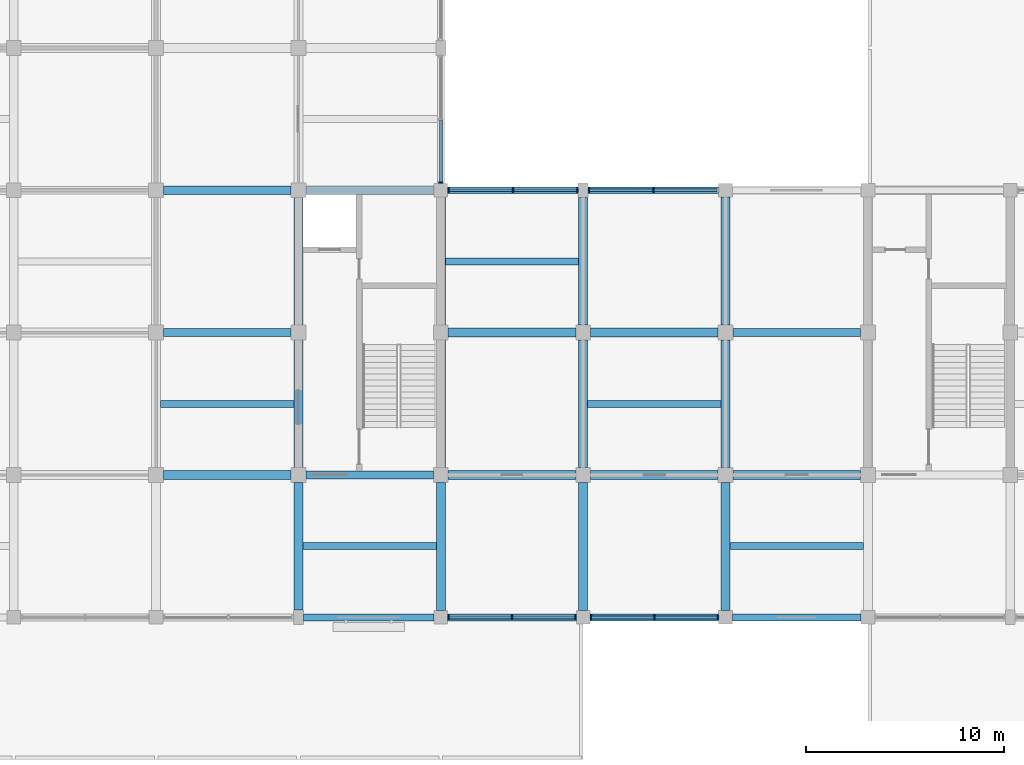
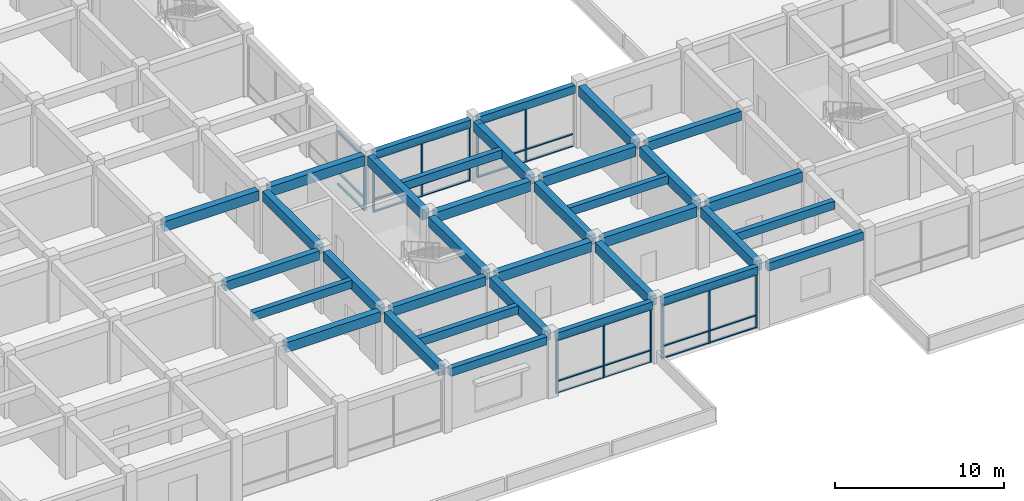
# One storey, part 7 of 30: 38 members, 34 beams, 5 elements without a shape of their own.
"""IFC4 building model written with IfcOpenShell, lengths in metres."""

from ifc_helpers import new_model, si_unit, direction, frame, origin, origin_2d, place, context, subcontext, project, spatial, rectangle, extrude, material, layer, layer_set, material_profile, profile_set, type_object, element, aggregate, save


model = new_model("IFC4")

# Units and contexts
model_context = context("Model", 3, precision=1e-05, world=origin(), true_north=direction((0.0, 1.0)))
body_context = subcontext(model_context, "Body", "Model", "MODEL_VIEW")
ifc_project = project(units=[si_unit("LENGTHUNIT", "METRE"), si_unit("AREAUNIT", "SQUARE_METRE"), si_unit("VOLUMEUNIT", "CUBIC_METRE"), si_unit("PLANEANGLEUNIT", "RADIAN"), si_unit("MASSUNIT", "GRAM", prefix="KILO")], contexts=[model_context])

# Site, building, storey
site_placement = place(None, origin())
site = spatial("IfcSite", under=ifc_project, at=site_placement, CompositionType="ELEMENT")
building_placement = place(site_placement, origin())
building = spatial("IfcBuilding", under=site, at=building_placement, Name="Cendaluz Park School", CompositionType="ELEMENT")
storey_placement = place(building_placement, frame((0.0, 0.0, 9.60009765625)))
storey = spatial("IfcBuildingStorey", under=building, at=storey_placement, Name="L02", CompositionType="ELEMENT", Elevation=9.60009765625)

# Beams
ifc_material_1 = material(Name="Concrete C40/50", Category="concrete")
ifc_material_profile_1 = material_profile(ifc_material_1, rectangle(XDim=0.449951171875, YDim=0.719970703125, at=origin_2d()), Name="RC 450x720", Category="concrete")
ifc_profile_set_1 = profile_set([ifc_material_profile_1], Name="Concrete C40/50")
beam_type_1 = type_object("IfcBeamType", Name="BM-RC02", PredefinedType="BEAM", material=ifc_profile_set_1)
for number, where, z_axis, x_axis, name in (
    (1, (93.97509765625, 14.39990234375, 4.099853515625), (1.0, 0.0, 0.0), (0.0, 1.0, 0.0), "BM-L02-BMRC02-0075"),
    (2, (93.97509765625, 28.800048828125, 4.099853515625), (1.0, 0.0, 0.0), (0.0, 1.0, 0.0), "BM-L02-BMRC02-0077"),
):
    element("IfcBeam", number, at=place(storey_placement, frame(where, z_axis=z_axis, x_axis=x_axis)), inside=storey, type_object=beam_type_1, Name=name, PredefinedType="BEAM", context=body_context, shape_type="SweptSolid", body=[
        extrude(rectangle(XDim=0.449951171875, YDim=0.719970703125, at=origin_2d()), origin(), (0.0, 0.0, 1.0), 6.449951171875),
    ])
beam_1_placement = place(storey_placement, frame((101.175048828125, 28.800048828125, 4.099853515625), z_axis=(1.0, 0.0, 0.0), x_axis=(0.0, 1.0, 0.0)))
element("IfcBeam", 3, at=beam_1_placement, inside=storey, type_object=beam_type_1, Name="BM-L02-BMRC02-0086", PredefinedType="BEAM", context=body_context, shape_type="SweptSolid", body=[
    extrude(rectangle(XDim=0.449951171875, YDim=0.719970703125, at=origin_2d()), origin(), (0.0, 0.0, 1.0), 6.474853515625),
])
for number, where, z_axis, x_axis, name in (
    (4, (108.375, 14.39990234375, 4.099853515625), (1.0, 0.0, 0.0), (0.0, 1.0, 0.0), "BM-L02-BMRC02-0093"),
    (5, (108.375, 21.60009765625, 4.099853515625), (1.0, 0.0, 0.0), (0.0, 1.0, 0.0), "BM-L02-BMRC02-0094"),
    (6, (115.574951171875, 14.39990234375, 4.099853515625), (1.0, 0.0, 0.0), (0.0, 1.0, 0.0), "BM-L02-BMRC02-0097"),
    (7, (115.574951171875, 21.60009765625, 4.099853515625), (1.0, 0.0, 0.0), (0.0, 1.0, 0.0), "BM-L02-BMRC02-0098"),
):
    element("IfcBeam", number, at=place(storey_placement, frame(where, z_axis=z_axis, x_axis=x_axis)), inside=storey, type_object=beam_type_1, Name=name, PredefinedType="BEAM", context=body_context, shape_type="SweptSolid", body=[
        extrude(rectangle(XDim=0.449951171875, YDim=0.719970703125, at=origin_2d()), origin(), (0.0, 0.0, 1.0), 6.449951171875),
    ])
beam_2_placement = place(storey_placement, frame((122.77490234375, 14.39990234375, 4.099853515625), z_axis=(1.0, 0.0, 0.0), x_axis=(0.0, 1.0, 0.0)))
element("IfcBeam", 8, at=beam_2_placement, inside=storey, type_object=beam_type_1, Name="BM-L02-BMRC02-0101", PredefinedType="BEAM", context=body_context, shape_type="SweptSolid", body=[
    extrude(rectangle(XDim=0.449951171875, YDim=0.719970703125, at=origin_2d()), origin(), (0.0, 0.0, 1.0), 6.4501953125),
])
beam_3_placement = place(storey_placement, frame((100.800048828125, 7.574951171875, 4.099853515625), z_axis=(0.0, 1.0, 0.0), x_axis=(-1.0, 0.0, 0.0)))
element("IfcBeam", 9, at=beam_3_placement, inside=storey, type_object=beam_type_1, Name="BM-L02-BMRC02-0199", PredefinedType="BEAM", context=body_context, shape_type="SweptSolid", body=[
    extrude(rectangle(XDim=0.449951171875, YDim=0.719970703125, at=origin_2d()), origin(), (0.0, 0.0, 1.0), 6.449951171875),
])
beam_4_placement = place(storey_placement, frame((100.800048828125, 14.77490234375, 4.099853515625), z_axis=(0.0, 1.0, 0.0), x_axis=(-1.0, 0.0, 0.0)))
element("IfcBeam", 10, at=beam_4_placement, inside=storey, type_object=beam_type_1, Name="BM-L02-BMRC02-0200", PredefinedType="BEAM", context=body_context, shape_type="SweptSolid", body=[
    extrude(rectangle(XDim=0.449951171875, YDim=0.719970703125, at=origin_2d()), origin(), (0.0, 0.0, 1.0), 6.4501953125),
])
beam_5_placement = place(storey_placement, frame((100.800048828125, 21.97509765625, 4.099853515625), z_axis=(0.0, 1.0, 0.0), x_axis=(-1.0, 0.0, 0.0)))
element("IfcBeam", 11, at=beam_5_placement, inside=storey, type_object=beam_type_1, Name="BM-L02-BMRC02-0201", PredefinedType="BEAM", context=body_context, shape_type="SweptSolid", body=[
    extrude(rectangle(XDim=0.449951171875, YDim=0.719970703125, at=origin_2d()), origin(), (0.0, 0.0, 1.0), 6.449951171875),
])
beam_6_placement = place(storey_placement, frame((108.0, 7.550048828125, 4.099853515625), z_axis=(0.0, 1.0, 0.0), x_axis=(-1.0, 0.0, 0.0)))
element("IfcBeam", 12, at=beam_6_placement, inside=storey, type_object=beam_type_1, Name="BM-L02-BMRC02-0208", PredefinedType="BEAM", context=body_context, shape_type="SweptSolid", body=[
    extrude(rectangle(XDim=0.449951171875, YDim=0.719970703125, at=origin_2d()), origin(), (0.0, 0.0, 1.0), 6.474853515625),
])
beam_7_placement = place(storey_placement, frame((108.0, 14.77490234375, 4.099853515625), z_axis=(0.0, 1.0, 0.0), x_axis=(-1.0, 0.0, 0.0)))
element("IfcBeam", 13, at=beam_7_placement, inside=storey, type_object=beam_type_1, Name="BM-L02-BMRC02-0209", PredefinedType="BEAM", context=body_context, shape_type="SweptSolid", body=[
    extrude(rectangle(XDim=0.449951171875, YDim=0.719970703125, at=origin_2d()), origin(), (0.0, 0.0, 1.0), 6.4501953125),
])
for number, where, z_axis, x_axis, name in (
    (14, (108.0, 21.97509765625, 4.099853515625), (0.0, 1.0, 0.0), (-1.0, 0.0, 0.0), "BM-L02-BMRC02-0210"),
    (15, (115.199951171875, 7.550048828125, 4.099853515625), (0.0, 1.0, 0.0), (-1.0, 0.0, 0.0), "BM-L02-BMRC02-0217"),
):
    element("IfcBeam", number, at=place(storey_placement, frame(where, z_axis=z_axis, x_axis=x_axis)), inside=storey, type_object=beam_type_1, Name=name, PredefinedType="BEAM", context=body_context, shape_type="SweptSolid", body=[
        extrude(rectangle(XDim=0.449951171875, YDim=0.719970703125, at=origin_2d()), origin(), (0.0, 0.0, 1.0), 6.474853515625),
    ])
beam_8_placement = place(storey_placement, frame((115.199951171875, 14.77490234375, 4.099853515625), z_axis=(0.0, 1.0, 0.0), x_axis=(-1.0, 0.0, 0.0)))
element("IfcBeam", 16, at=beam_8_placement, inside=storey, type_object=beam_type_1, Name="BM-L02-BMRC02-0218", PredefinedType="BEAM", context=body_context, shape_type="SweptSolid", body=[
    extrude(rectangle(XDim=0.449951171875, YDim=0.719970703125, at=origin_2d()), origin(), (0.0, 0.0, 1.0), 6.4501953125),
])
beam_9_placement = place(storey_placement, frame((115.199951171875, 21.97509765625, 4.099853515625), z_axis=(0.0, 1.0, 0.0), x_axis=(-1.0, 0.0, 0.0)))
element("IfcBeam", 17, at=beam_9_placement, inside=storey, type_object=beam_type_1, Name="BM-L02-BMRC02-0219", PredefinedType="BEAM", context=body_context, shape_type="SweptSolid", body=[
    extrude(rectangle(XDim=0.449951171875, YDim=0.719970703125, at=origin_2d()), origin(), (0.0, 0.0, 1.0), 6.449951171875),
])
beam_10_placement = place(storey_placement, frame((122.39990234375, 7.550048828125, 4.099853515625), z_axis=(0.0, 1.0, 0.0), x_axis=(-1.0, 0.0, 0.0)))
element("IfcBeam", 18, at=beam_10_placement, inside=storey, type_object=beam_type_1, Name="BM-L02-BMRC02-0220", PredefinedType="BEAM", context=body_context, shape_type="SweptSolid", body=[
    extrude(rectangle(XDim=0.449951171875, YDim=0.719970703125, at=origin_2d()), origin(), (0.0, 0.0, 1.0), 6.474853515625),
])
beam_11_placement = place(storey_placement, frame((122.39990234375, 14.77490234375, 4.099853515625), z_axis=(0.0, 1.0, 0.0), x_axis=(-1.0, 0.0, 0.0)))
element("IfcBeam", 19, at=beam_11_placement, inside=storey, type_object=beam_type_1, Name="BM-L02-BMRC02-0221", PredefinedType="BEAM", context=body_context, shape_type="SweptSolid", body=[
    extrude(rectangle(XDim=0.449951171875, YDim=0.719970703125, at=origin_2d()), origin(), (0.0, 0.0, 1.0), 6.4501953125),
])
beam_12_placement = place(storey_placement, frame((122.39990234375, 21.97509765625, 4.099853515625), z_axis=(0.0, 1.0, 0.0), x_axis=(-1.0, 0.0, 0.0)))
element("IfcBeam", 20, at=beam_12_placement, inside=storey, type_object=beam_type_1, Name="BM-L02-BMRC02-0222", PredefinedType="BEAM", context=body_context, shape_type="SweptSolid", body=[
    extrude(rectangle(XDim=0.449951171875, YDim=0.719970703125, at=origin_2d()), origin(), (0.0, 0.0, 1.0), 6.474853515625),
])
ifc_material_profile_2 = material_profile(ifc_material_1, rectangle(XDim=0.39990234375, YDim=0.64990234375, at=origin_2d()), Name="RC 400x650", Category="concrete")
ifc_profile_set_2 = profile_set([ifc_material_profile_2], Name="Concrete C40/50")
beam_type_2 = type_object("IfcBeamType", Name="BM-RC03", PredefinedType="T_BEAM", material=ifc_profile_set_2)
for number, where, z_axis, x_axis, name in (
    (21, (93.97509765625, 21.60009765625, 4.135009765625), (1.0, 0.0, 0.0), (0.0, 1.0, 0.0), "BM-L02-BMRC03-0076"),
    (22, (101.175048828125, 14.39990234375, 4.135009765625), (1.0, 0.0, 0.0), (0.0, 1.0, 0.0), "BM-L02-BMRC03-0085"),
):
    element("IfcBeam", number, at=place(storey_placement, frame(where, z_axis=z_axis, x_axis=x_axis)), inside=storey, type_object=beam_type_2, Name=name, PredefinedType="T_BEAM", context=body_context, shape_type="SweptSolid", body=[
        extrude(rectangle(XDim=0.39990234375, YDim=0.64990234375, at=origin_2d()), origin(), (0.0, 0.0, 1.0), 6.449951171875),
    ])
beam_13_placement = place(storey_placement, frame((122.77490234375, 21.60009765625, 4.135009765625), z_axis=(1.0, 0.0, 0.0), x_axis=(0.0, 1.0, 0.0)))
element("IfcBeam", 23, at=beam_13_placement, inside=storey, type_object=beam_type_2, Name="BM-L02-BMRC03-0102", PredefinedType="T_BEAM", context=body_context, shape_type="SweptSolid", body=[
    extrude(rectangle(XDim=0.39990234375, YDim=0.64990234375, at=origin_2d()), origin(), (0.0, 0.0, 1.0), 6.4501953125),
])
ifc_material_profile_3 = material_profile(ifc_material_1, rectangle(XDim=0.35009765625, YDim=0.580078125, at=origin_2d()), Name="RC 350x580", Category="concrete")
ifc_profile_set_3 = profile_set([ifc_material_profile_3], Name="Concrete C40/50")
beam_type_3 = type_object("IfcBeamType", Name="BM-RC04", PredefinedType="LINTEL", material=ifc_profile_set_3)
beam_14_placement = place(storey_placement, frame((101.050048828125, 7.199951171875, 4.169921875), z_axis=(1.0, 0.0, 0.0), x_axis=(0.0, 1.0, 0.0)))
element("IfcBeam", 24, at=beam_14_placement, inside=storey, type_object=beam_type_3, Name="BM-L02-BMRC04-0084", PredefinedType="LINTEL", context=body_context, shape_type="SweptSolid", body=[
    extrude(rectangle(XDim=0.35009765625, YDim=0.580078125, at=origin_2d()), origin(), (0.0, 0.0, 1.0), 6.599853515625),
])
beam_15_placement = place(storey_placement, frame((108.35009765625, 7.199951171875, 4.169921875), z_axis=(1.0, 0.0, 0.0), x_axis=(0.0, 1.0, 0.0)))
element("IfcBeam", 25, at=beam_15_placement, inside=storey, type_object=beam_type_3, Name="BM-L02-BMRC04-0092", PredefinedType="LINTEL", context=body_context, shape_type="SweptSolid", body=[
    extrude(rectangle(XDim=0.35009765625, YDim=0.580078125, at=origin_2d()), origin(), (0.0, 0.0, 1.0), 6.5),
])
beam_16_placement = place(storey_placement, frame((108.35009765625, 28.800048828125, 4.169921875), z_axis=(1.0, 0.0, 0.0), x_axis=(0.0, 1.0, 0.0)))
element("IfcBeam", 26, at=beam_16_placement, inside=storey, type_object=beam_type_3, Name="BM-L02-BMRC04-0095", PredefinedType="LINTEL", context=body_context, shape_type="SweptSolid", body=[
    extrude(rectangle(XDim=0.35009765625, YDim=0.580078125, at=origin_2d()), origin(), (0.0, 0.0, 1.0), 6.599853515625),
])
beam_17_placement = place(storey_placement, frame((115.550048828125, 7.199951171875, 4.169921875), z_axis=(1.0, 0.0, 0.0), x_axis=(0.0, 1.0, 0.0)))
element("IfcBeam", 27, at=beam_17_placement, inside=storey, type_object=beam_type_3, Name="BM-L02-BMRC04-0096", PredefinedType="LINTEL", context=body_context, shape_type="SweptSolid", body=[
    extrude(rectangle(XDim=0.35009765625, YDim=0.580078125, at=origin_2d()), origin(), (0.0, 0.0, 1.0), 6.5),
])
beam_18_placement = place(storey_placement, frame((115.449951171875, 28.800048828125, 4.169921875), z_axis=(1.0, 0.0, 0.0), x_axis=(0.0, 1.0, 0.0)))
element("IfcBeam", 28, at=beam_18_placement, inside=storey, type_object=beam_type_3, Name="BM-L02-BMRC04-0099", PredefinedType="LINTEL", context=body_context, shape_type="SweptSolid", body=[
    extrude(rectangle(XDim=0.35009765625, YDim=0.580078125, at=origin_2d()), origin(), (0.0, 0.0, 1.0), 6.60009765625),
])
beam_19_placement = place(storey_placement, frame((122.75, 7.199951171875, 4.169921875), z_axis=(1.0, 0.0, 0.0), x_axis=(0.0, 1.0, 0.0)))
element("IfcBeam", 29, at=beam_19_placement, inside=storey, type_object=beam_type_3, Name="BM-L02-BMRC04-0100", PredefinedType="LINTEL", context=body_context, shape_type="SweptSolid", body=[
    extrude(rectangle(XDim=0.35009765625, YDim=0.580078125, at=origin_2d()), origin(), (0.0, 0.0, 1.0), 6.5),
])

# Curtain wall, member
ifc_material_2 = material(Name="Anodised Aluminium 6063-T6", Category="aluminium")
ifc_layer_1 = layer(ifc_material_2, 0.179931640625)
ifc_layer_set_1 = layer_set([ifc_layer_1], Name="Anodised Aluminium 6063-T6")
curtain_wall_type_1 = type_object("IfcCurtainWallType", Name="CW-130x78", PredefinedType="NOTDEFINED", material=ifc_layer_set_1)
curtain_wall_1_placement = place(storey_placement, origin())
curtain_wall_1 = element("IfcCurtainWall", 30, at=curtain_wall_1_placement, inside=storey, type_object=curtain_wall_type_1, Name="CW-L02-115", PredefinedType="NOTDEFINED")
ifc_material_profile_4 = material_profile(ifc_material_2, rectangle(XDim=0.199951171875, YDim=0.080078125, at=origin_2d()), Name="CWM 200x80", Category="aluminium")
ifc_profile_set_4 = profile_set([ifc_material_profile_4], Name="Anodised Aluminium 6063-T6")
member_type_1 = type_object("IfcMemberType", Name="CWM-02", PredefinedType="MULLION", material=ifc_profile_set_4)
member_1_placement = place(storey_placement, frame((108.0, 29.18994140625, 0.0), z_axis=(0.0, 0.0, 1.0), x_axis=(-1.0, 0.0, 0.0)))
member_1 = element("IfcMember", 31, at=member_1_placement, type_object=member_type_1, Name="CP-L02-1483", PredefinedType="MULLION", context=body_context, shape_type="SweptSolid", body=[
    extrude(rectangle(XDim=0.199951171875, YDim=0.080078125, at=origin_2d()), origin(), (0.0, 0.0, 1.0), 3.8798828125),
])

# Curtain wall, members
curtain_wall_2_placement = place(storey_placement, origin())
curtain_wall_2 = element("IfcCurtainWall", 32, at=curtain_wall_2_placement, inside=storey, type_object=curtain_wall_type_1, Name="CW-L02-118", PredefinedType="NOTDEFINED")
member_2_placement = place(storey_placement, frame((108.389892578125, 7.199951171875, 0.0), z_axis=(0.0, 0.0, 1.0), x_axis=(0.0, 1.0, 0.0)))
member_2 = element("IfcMember", 33, at=member_2_placement, type_object=member_type_1, Name="CP-L02-1522", PredefinedType="MULLION", context=body_context, shape_type="SweptSolid", body=[
    extrude(rectangle(XDim=0.199951171875, YDim=0.080078125, at=origin_2d()), origin(), (0.0, 0.0, 1.0), 3.8798828125),
])
member_3_placement = place(storey_placement, frame((111.60009765625, 7.199951171875, 0.0), z_axis=(0.0, 0.0, 1.0), x_axis=(0.0, 1.0, 0.0)))
member_3 = element("IfcMember", 34, at=member_3_placement, type_object=member_type_1, Name="CP-L02-1523", PredefinedType="MULLION", context=body_context, shape_type="SweptSolid", body=[
    extrude(rectangle(XDim=0.199951171875, YDim=0.080078125, at=origin_2d()), origin(), (0.0, 0.0, 1.0), 3.8798828125),
])
member_4_placement = place(storey_placement, frame((114.81005859375, 7.199951171875, 0.0), z_axis=(0.0, 0.0, 1.0), x_axis=(0.0, 1.0, 0.0)))
member_4 = element("IfcMember", 35, at=member_4_placement, type_object=member_type_1, Name="CP-L02-1524", PredefinedType="MULLION", context=body_context, shape_type="SweptSolid", body=[
    extrude(rectangle(XDim=0.199951171875, YDim=0.080078125, at=origin_2d()), origin(), (0.0, 0.0, 1.0), 3.8798828125),
])

ifc_layer_2 = layer(ifc_material_2, 0.179931640625)
ifc_layer_set_2 = layer_set([ifc_layer_2], Name="Anodised Aluminium 6063-T6")
curtain_wall_type_2 = type_object("IfcCurtainWallType", Name="CW-132x78", PredefinedType="NOTDEFINED", material=ifc_layer_set_2)
curtain_wall_3_placement = place(storey_placement, origin())
curtain_wall_3 = element("IfcCurtainWall", 36, at=curtain_wall_3_placement, inside=storey, type_object=curtain_wall_type_2, Name="CW-L02-119", PredefinedType="NOTDEFINED")
member_5_placement = place(storey_placement, frame((108.389892578125, 28.800048828125, 0.0), z_axis=(0.0, 0.0, 1.0), x_axis=(0.0, 1.0, 0.0)))
member_5 = element("IfcMember", 37, at=member_5_placement, type_object=member_type_1, Name="CP-L02-1535", PredefinedType="MULLION", context=body_context, shape_type="SweptSolid", body=[
    extrude(rectangle(XDim=0.199951171875, YDim=0.080078125, at=origin_2d()), origin(), (0.0, 0.0, 1.0), 3.8798828125),
])
member_6_placement = place(storey_placement, frame((111.64990234375, 28.800048828125, 0.0), z_axis=(0.0, 0.0, 1.0), x_axis=(0.0, 1.0, 0.0)))
member_6 = element("IfcMember", 38, at=member_6_placement, type_object=member_type_1, Name="CP-L02-1536", PredefinedType="MULLION", context=body_context, shape_type="SweptSolid", body=[
    extrude(rectangle(XDim=0.199951171875, YDim=0.080078125, at=origin_2d()), origin(), (0.0, 0.0, 1.0), 3.8798828125),
])
member_7_placement = place(storey_placement, frame((114.909912109375, 28.800048828125, 0.0), z_axis=(0.0, 0.0, 1.0), x_axis=(0.0, 1.0, 0.0)))
member_7 = element("IfcMember", 39, at=member_7_placement, type_object=member_type_1, Name="CP-L02-1537", PredefinedType="MULLION", context=body_context, shape_type="SweptSolid", body=[
    extrude(rectangle(XDim=0.199951171875, YDim=0.080078125, at=origin_2d()), origin(), (0.0, 0.0, 1.0), 3.8798828125),
])

curtain_wall_4_placement = place(storey_placement, origin())
curtain_wall_4 = element("IfcCurtainWall", 40, at=curtain_wall_4_placement, inside=storey, type_object=curtain_wall_type_1, Name="CW-L02-120", PredefinedType="NOTDEFINED")
member_8_placement = place(storey_placement, frame((115.590087890625, 7.199951171875, 0.0), z_axis=(0.0, 0.0, 1.0), x_axis=(0.0, 1.0, 0.0)))
member_8 = element("IfcMember", 41, at=member_8_placement, type_object=member_type_1, Name="CP-L02-1548", PredefinedType="MULLION", context=body_context, shape_type="SweptSolid", body=[
    extrude(rectangle(XDim=0.199951171875, YDim=0.080078125, at=origin_2d()), origin(), (0.0, 0.0, 1.0), 3.8798828125),
])
member_9_placement = place(storey_placement, frame((118.800048828125, 7.199951171875, 0.0), z_axis=(0.0, 0.0, 1.0), x_axis=(0.0, 1.0, 0.0)))
member_9 = element("IfcMember", 42, at=member_9_placement, type_object=member_type_1, Name="CP-L02-1549", PredefinedType="MULLION", context=body_context, shape_type="SweptSolid", body=[
    extrude(rectangle(XDim=0.199951171875, YDim=0.080078125, at=origin_2d()), origin(), (0.0, 0.0, 1.0), 3.8798828125),
])
member_10_placement = place(storey_placement, frame((122.010009765625, 7.199951171875, 0.0), z_axis=(0.0, 0.0, 1.0), x_axis=(0.0, 1.0, 0.0)))
member_10 = element("IfcMember", 43, at=member_10_placement, type_object=member_type_1, Name="CP-L02-1550", PredefinedType="MULLION", context=body_context, shape_type="SweptSolid", body=[
    extrude(rectangle(XDim=0.199951171875, YDim=0.080078125, at=origin_2d()), origin(), (0.0, 0.0, 1.0), 3.8798828125),
])

curtain_wall_5_placement = place(storey_placement, origin())
curtain_wall_5 = element("IfcCurtainWall", 44, at=curtain_wall_5_placement, inside=storey, type_object=curtain_wall_type_2, Name="CW-L02-121", PredefinedType="NOTDEFINED")
member_11_placement = place(storey_placement, frame((115.489990234375, 28.800048828125, 0.0), z_axis=(0.0, 0.0, 1.0), x_axis=(0.0, 1.0, 0.0)))
member_11 = element("IfcMember", 45, at=member_11_placement, type_object=member_type_1, Name="CP-L02-1561", PredefinedType="MULLION", context=body_context, shape_type="SweptSolid", body=[
    extrude(rectangle(XDim=0.199951171875, YDim=0.080078125, at=origin_2d()), origin(), (0.0, 0.0, 1.0), 3.8798828125),
])
member_12_placement = place(storey_placement, frame((118.75, 28.800048828125, 0.0), z_axis=(0.0, 0.0, 1.0), x_axis=(0.0, 1.0, 0.0)))
member_12 = element("IfcMember", 46, at=member_12_placement, type_object=member_type_1, Name="CP-L02-1562", PredefinedType="MULLION", context=body_context, shape_type="SweptSolid", body=[
    extrude(rectangle(XDim=0.199951171875, YDim=0.080078125, at=origin_2d()), origin(), (0.0, 0.0, 1.0), 3.8798828125),
])

# Member
ifc_material_profile_5 = material_profile(ifc_material_2, rectangle(XDim=0.14990234375, YDim=0.080078125, at=origin_2d()), Name="CWT 150x80", Category="aluminium")
ifc_profile_set_5 = profile_set([ifc_material_profile_5], Name="Anodised Aluminium 6063-T6")
member_type_2 = type_object("IfcMemberType", Name="CWT-02", PredefinedType="USERDEFINED", material=ifc_profile_set_5)
member_13_placement = place(storey_placement, frame((108.0, 29.22998046875, 0.039794921875), z_axis=(0.0, 1.0, 0.0), x_axis=(-1.0, 0.0, 0.0)))
member_13 = element("IfcMember", 47, at=member_13_placement, type_object=member_type_2, Name="CP-L02-1486", ObjectType="TRANSOM", PredefinedType="USERDEFINED", context=body_context, shape_type="SweptSolid", body=[
    extrude(rectangle(XDim=0.14990234375, YDim=0.080078125, at=origin_2d()), origin(), (0.0, 0.0, 1.0), 3.117431640625),
])

member_14_placement = place(storey_placement, frame((108.0, 29.22998046875, 0.89990234375), z_axis=(0.0, 1.0, 0.0), x_axis=(-1.0, 0.0, 0.0)))
member_14 = element("IfcMember", 48, at=member_14_placement, type_object=member_type_2, Name="CP-L02-1487", ObjectType="TRANSOM", PredefinedType="USERDEFINED", context=body_context, shape_type="SweptSolid", body=[
    extrude(rectangle(XDim=0.14990234375, YDim=0.080078125, at=origin_2d()), origin(), (0.0, 0.0, 1.0), 3.117431640625),
])

member_15_placement = place(storey_placement, frame((108.0, 29.22998046875, 3.83984375), z_axis=(0.0, 1.0, 0.0), x_axis=(-1.0, 0.0, 0.0)))
member_15 = element("IfcMember", 49, at=member_15_placement, type_object=member_type_2, Name="CP-L02-1488", ObjectType="TRANSOM", PredefinedType="USERDEFINED", context=body_context, shape_type="SweptSolid", body=[
    extrude(rectangle(XDim=0.14990234375, YDim=0.080078125, at=origin_2d()), origin(), (0.0, 0.0, 1.0), 3.117431640625),
])

aggregate(curtain_wall_1, [member_1, member_13, member_14, member_15])

member_16_placement = place(storey_placement, frame((108.429931640625, 7.199951171875, 0.039794921875), z_axis=(1.0, 0.0, 0.0), x_axis=(0.0, 1.0, 0.0)))
member_16 = element("IfcMember", 50, at=member_16_placement, type_object=member_type_2, Name="CP-L02-1525", ObjectType="TRANSOM", PredefinedType="USERDEFINED", context=body_context, shape_type="SweptSolid", body=[
    extrude(rectangle(XDim=0.14990234375, YDim=0.080078125, at=origin_2d()), origin(), (0.0, 0.0, 1.0), 3.130126953125),
])

member_17_placement = place(storey_placement, frame((108.429931640625, 7.199951171875, 0.89990234375), z_axis=(1.0, 0.0, 0.0), x_axis=(0.0, 1.0, 0.0)))
member_17 = element("IfcMember", 51, at=member_17_placement, type_object=member_type_2, Name="CP-L02-1526", ObjectType="TRANSOM", PredefinedType="USERDEFINED", context=body_context, shape_type="SweptSolid", body=[
    extrude(rectangle(XDim=0.14990234375, YDim=0.080078125, at=origin_2d()), origin(), (0.0, 0.0, 1.0), 3.130126953125),
])

member_18_placement = place(storey_placement, frame((108.429931640625, 7.199951171875, 3.83984375), z_axis=(1.0, 0.0, 0.0), x_axis=(0.0, 1.0, 0.0)))
member_18 = element("IfcMember", 52, at=member_18_placement, type_object=member_type_2, Name="CP-L02-1527", ObjectType="TRANSOM", PredefinedType="USERDEFINED", context=body_context, shape_type="SweptSolid", body=[
    extrude(rectangle(XDim=0.14990234375, YDim=0.080078125, at=origin_2d()), origin(), (0.0, 0.0, 1.0), 3.130126953125),
])

member_19_placement = place(storey_placement, frame((111.639892578125, 7.199951171875, 0.039794921875), z_axis=(1.0, 0.0, 0.0), x_axis=(0.0, 1.0, 0.0)))
member_19 = element("IfcMember", 53, at=member_19_placement, type_object=member_type_2, Name="CP-L02-1530", ObjectType="TRANSOM", PredefinedType="USERDEFINED", context=body_context, shape_type="SweptSolid", body=[
    extrude(rectangle(XDim=0.14990234375, YDim=0.080078125, at=origin_2d()), origin(), (0.0, 0.0, 1.0), 3.130126953125),
])

member_20_placement = place(storey_placement, frame((111.639892578125, 7.199951171875, 0.89990234375), z_axis=(1.0, 0.0, 0.0), x_axis=(0.0, 1.0, 0.0)))
member_20 = element("IfcMember", 54, at=member_20_placement, type_object=member_type_2, Name="CP-L02-1531", ObjectType="TRANSOM", PredefinedType="USERDEFINED", context=body_context, shape_type="SweptSolid", body=[
    extrude(rectangle(XDim=0.14990234375, YDim=0.080078125, at=origin_2d()), origin(), (0.0, 0.0, 1.0), 3.130126953125),
])

member_21_placement = place(storey_placement, frame((111.639892578125, 7.199951171875, 3.83984375), z_axis=(1.0, 0.0, 0.0), x_axis=(0.0, 1.0, 0.0)))
member_21 = element("IfcMember", 55, at=member_21_placement, type_object=member_type_2, Name="CP-L02-1532", ObjectType="TRANSOM", PredefinedType="USERDEFINED", context=body_context, shape_type="SweptSolid", body=[
    extrude(rectangle(XDim=0.14990234375, YDim=0.080078125, at=origin_2d()), origin(), (0.0, 0.0, 1.0), 3.130126953125),
])

aggregate(curtain_wall_2, [member_2, member_3, member_4, member_16, member_17, member_18, member_19, member_20, member_21])

member_22_placement = place(storey_placement, frame((108.429931640625, 28.800048828125, 0.039794921875), z_axis=(1.0, 0.0, 0.0), x_axis=(0.0, 1.0, 0.0)))
member_22 = element("IfcMember", 56, at=member_22_placement, type_object=member_type_2, Name="CP-L02-1538", ObjectType="TRANSOM", PredefinedType="USERDEFINED", context=body_context, shape_type="SweptSolid", body=[
    extrude(rectangle(XDim=0.14990234375, YDim=0.080078125, at=origin_2d()), origin(), (0.0, 0.0, 1.0), 3.18017578125),
])

member_23_placement = place(storey_placement, frame((108.429931640625, 28.800048828125, 0.89990234375), z_axis=(1.0, 0.0, 0.0), x_axis=(0.0, 1.0, 0.0)))
member_23 = element("IfcMember", 57, at=member_23_placement, type_object=member_type_2, Name="CP-L02-1539", ObjectType="TRANSOM", PredefinedType="USERDEFINED", context=body_context, shape_type="SweptSolid", body=[
    extrude(rectangle(XDim=0.14990234375, YDim=0.080078125, at=origin_2d()), origin(), (0.0, 0.0, 1.0), 3.18017578125),
])

member_24_placement = place(storey_placement, frame((108.429931640625, 28.800048828125, 3.83984375), z_axis=(1.0, 0.0, 0.0), x_axis=(0.0, 1.0, 0.0)))
member_24 = element("IfcMember", 58, at=member_24_placement, type_object=member_type_2, Name="CP-L02-1540", ObjectType="TRANSOM", PredefinedType="USERDEFINED", context=body_context, shape_type="SweptSolid", body=[
    extrude(rectangle(XDim=0.14990234375, YDim=0.080078125, at=origin_2d()), origin(), (0.0, 0.0, 1.0), 3.18017578125),
])

member_25_placement = place(storey_placement, frame((111.68994140625, 28.800048828125, 0.039794921875), z_axis=(1.0, 0.0, 0.0), x_axis=(0.0, 1.0, 0.0)))
member_25 = element("IfcMember", 59, at=member_25_placement, type_object=member_type_2, Name="CP-L02-1543", ObjectType="TRANSOM", PredefinedType="USERDEFINED", context=body_context, shape_type="SweptSolid", body=[
    extrude(rectangle(XDim=0.14990234375, YDim=0.080078125, at=origin_2d()), origin(), (0.0, 0.0, 1.0), 3.18017578125),
])

member_26_placement = place(storey_placement, frame((111.68994140625, 28.800048828125, 0.89990234375), z_axis=(1.0, 0.0, 0.0), x_axis=(0.0, 1.0, 0.0)))
member_26 = element("IfcMember", 60, at=member_26_placement, type_object=member_type_2, Name="CP-L02-1544", ObjectType="TRANSOM", PredefinedType="USERDEFINED", context=body_context, shape_type="SweptSolid", body=[
    extrude(rectangle(XDim=0.14990234375, YDim=0.080078125, at=origin_2d()), origin(), (0.0, 0.0, 1.0), 3.18017578125),
])

member_27_placement = place(storey_placement, frame((111.68994140625, 28.800048828125, 3.83984375), z_axis=(1.0, 0.0, 0.0), x_axis=(0.0, 1.0, 0.0)))
member_27 = element("IfcMember", 61, at=member_27_placement, type_object=member_type_2, Name="CP-L02-1545", ObjectType="TRANSOM", PredefinedType="USERDEFINED", context=body_context, shape_type="SweptSolid", body=[
    extrude(rectangle(XDim=0.14990234375, YDim=0.080078125, at=origin_2d()), origin(), (0.0, 0.0, 1.0), 3.18017578125),
])

aggregate(curtain_wall_3, [member_5, member_6, member_7, member_22, member_23, member_24, member_25, member_26, member_27])

member_28_placement = place(storey_placement, frame((115.6298828125, 7.199951171875, 0.039794921875), z_axis=(1.0, 0.0, 0.0), x_axis=(0.0, 1.0, 0.0)))
member_28 = element("IfcMember", 62, at=member_28_placement, type_object=member_type_2, Name="CP-L02-1551", ObjectType="TRANSOM", PredefinedType="USERDEFINED", context=body_context, shape_type="SweptSolid", body=[
    extrude(rectangle(XDim=0.14990234375, YDim=0.080078125, at=origin_2d()), origin(), (0.0, 0.0, 1.0), 3.130126953125),
])

member_29_placement = place(storey_placement, frame((115.6298828125, 7.199951171875, 0.89990234375), z_axis=(1.0, 0.0, 0.0), x_axis=(0.0, 1.0, 0.0)))
member_29 = element("IfcMember", 63, at=member_29_placement, type_object=member_type_2, Name="CP-L02-1552", ObjectType="TRANSOM", PredefinedType="USERDEFINED", context=body_context, shape_type="SweptSolid", body=[
    extrude(rectangle(XDim=0.14990234375, YDim=0.080078125, at=origin_2d()), origin(), (0.0, 0.0, 1.0), 3.130126953125),
])

member_30_placement = place(storey_placement, frame((115.6298828125, 7.199951171875, 3.83984375), z_axis=(1.0, 0.0, 0.0), x_axis=(0.0, 1.0, 0.0)))
member_30 = element("IfcMember", 64, at=member_30_placement, type_object=member_type_2, Name="CP-L02-1553", ObjectType="TRANSOM", PredefinedType="USERDEFINED", context=body_context, shape_type="SweptSolid", body=[
    extrude(rectangle(XDim=0.14990234375, YDim=0.080078125, at=origin_2d()), origin(), (0.0, 0.0, 1.0), 3.130126953125),
])

member_31_placement = place(storey_placement, frame((118.840087890625, 7.199951171875, 0.039794921875), z_axis=(1.0, 0.0, 0.0), x_axis=(0.0, 1.0, 0.0)))
member_31 = element("IfcMember", 65, at=member_31_placement, type_object=member_type_2, Name="CP-L02-1556", ObjectType="TRANSOM", PredefinedType="USERDEFINED", context=body_context, shape_type="SweptSolid", body=[
    extrude(rectangle(XDim=0.14990234375, YDim=0.080078125, at=origin_2d()), origin(), (0.0, 0.0, 1.0), 3.1298828125),
])

member_32_placement = place(storey_placement, frame((118.840087890625, 7.199951171875, 0.89990234375), z_axis=(1.0, 0.0, 0.0), x_axis=(0.0, 1.0, 0.0)))
member_32 = element("IfcMember", 66, at=member_32_placement, type_object=member_type_2, Name="CP-L02-1557", ObjectType="TRANSOM", PredefinedType="USERDEFINED", context=body_context, shape_type="SweptSolid", body=[
    extrude(rectangle(XDim=0.14990234375, YDim=0.080078125, at=origin_2d()), origin(), (0.0, 0.0, 1.0), 3.1298828125),
])

member_33_placement = place(storey_placement, frame((118.840087890625, 7.199951171875, 3.83984375), z_axis=(1.0, 0.0, 0.0), x_axis=(0.0, 1.0, 0.0)))
member_33 = element("IfcMember", 67, at=member_33_placement, type_object=member_type_2, Name="CP-L02-1558", ObjectType="TRANSOM", PredefinedType="USERDEFINED", context=body_context, shape_type="SweptSolid", body=[
    extrude(rectangle(XDim=0.14990234375, YDim=0.080078125, at=origin_2d()), origin(), (0.0, 0.0, 1.0), 3.1298828125),
])

aggregate(curtain_wall_4, [member_8, member_9, member_10, member_28, member_29, member_30, member_31, member_32, member_33])

member_34_placement = place(storey_placement, frame((115.530029296875, 28.800048828125, 0.039794921875), z_axis=(1.0, 0.0, 0.0), x_axis=(0.0, 1.0, 0.0)))
member_34 = element("IfcMember", 68, at=member_34_placement, type_object=member_type_2, Name="CP-L02-1564", ObjectType="TRANSOM", PredefinedType="USERDEFINED", context=body_context, shape_type="SweptSolid", body=[
    extrude(rectangle(XDim=0.14990234375, YDim=0.080078125, at=origin_2d()), origin(), (0.0, 0.0, 1.0), 3.179931640625),
])

member_35_placement = place(storey_placement, frame((115.530029296875, 28.800048828125, 0.89990234375), z_axis=(1.0, 0.0, 0.0), x_axis=(0.0, 1.0, 0.0)))
member_35 = element("IfcMember", 69, at=member_35_placement, type_object=member_type_2, Name="CP-L02-1565", ObjectType="TRANSOM", PredefinedType="USERDEFINED", context=body_context, shape_type="SweptSolid", body=[
    extrude(rectangle(XDim=0.14990234375, YDim=0.080078125, at=origin_2d()), origin(), (0.0, 0.0, 1.0), 3.179931640625),
])

member_36_placement = place(storey_placement, frame((115.530029296875, 28.800048828125, 3.83984375), z_axis=(1.0, 0.0, 0.0), x_axis=(0.0, 1.0, 0.0)))
member_36 = element("IfcMember", 70, at=member_36_placement, type_object=member_type_2, Name="CP-L02-1566", ObjectType="TRANSOM", PredefinedType="USERDEFINED", context=body_context, shape_type="SweptSolid", body=[
    extrude(rectangle(XDim=0.14990234375, YDim=0.080078125, at=origin_2d()), origin(), (0.0, 0.0, 1.0), 3.179931640625),
])

member_37_placement = place(storey_placement, frame((118.7900390625, 28.800048828125, 0.039794921875), z_axis=(1.0, 0.0, 0.0), x_axis=(0.0, 1.0, 0.0)))
member_37 = element("IfcMember", 71, at=member_37_placement, type_object=member_type_2, Name="CP-L02-1569", ObjectType="TRANSOM", PredefinedType="USERDEFINED", context=body_context, shape_type="SweptSolid", body=[
    extrude(rectangle(XDim=0.14990234375, YDim=0.080078125, at=origin_2d()), origin(), (0.0, 0.0, 1.0), 3.179931640625),
])

member_38_placement = place(storey_placement, frame((118.7900390625, 28.800048828125, 0.89990234375), z_axis=(1.0, 0.0, 0.0), x_axis=(0.0, 1.0, 0.0)))
member_38 = element("IfcMember", 72, at=member_38_placement, type_object=member_type_2, Name="CP-L02-1570", ObjectType="TRANSOM", PredefinedType="USERDEFINED", context=body_context, shape_type="SweptSolid", body=[
    extrude(rectangle(XDim=0.14990234375, YDim=0.080078125, at=origin_2d()), origin(), (0.0, 0.0, 1.0), 3.179931640625),
])

aggregate(curtain_wall_5, [member_11, member_12, member_34, member_35, member_36, member_37, member_38])

# Beams
ifc_material_profile_6 = material_profile(ifc_material_1, rectangle(XDim=0.35009765625, YDim=0.580078125, at=origin_2d()), Name="RC 350x580", Category="concrete")
ifc_profile_set_6 = profile_set([ifc_material_profile_6], Name="Concrete C40/50")
beam_type_4 = type_object("IfcBeamType", Name="JT-RC01", PredefinedType="JOIST", material=ifc_profile_set_6)
for number, where, z_axis, x_axis, name in (
    (73, (93.824951171875, 18.0, 4.169921875), (1.0, 0.0, 0.0), (0.0, 1.0, 0.0), "BM-L02-JTRC01-0263"),
    (74, (101.02490234375, 10.800048828125, 4.169921875), (1.0, 0.0, 0.0), (0.0, 1.0, 0.0), "BM-L02-JTRC01-0266"),
    (75, (108.22509765625, 25.199951171875, 4.169921875), (1.0, 0.0, 0.0), (0.0, 1.0, 0.0), "BM-L02-JTRC01-0268"),
    (76, (115.425048828125, 18.0, 4.169921875), (1.0, 0.0, 0.0), (0.0, 1.0, 0.0), "BM-L02-JTRC01-0269"),
    (77, (122.625, 10.800048828125, 4.169921875), (1.0, 0.0, 0.0), (0.0, 1.0, 0.0), "BM-L02-JTRC01-0270"),
):
    element("IfcBeam", number, at=place(storey_placement, frame(where, z_axis=z_axis, x_axis=x_axis)), inside=storey, type_object=beam_type_4, Name=name, PredefinedType="JOIST", context=body_context, shape_type="SweptSolid", body=[
        extrude(rectangle(XDim=0.35009765625, YDim=0.580078125, at=origin_2d()), origin(), (0.0, 0.0, 1.0), 6.75),
    ])

save(model, "model.ifc")
